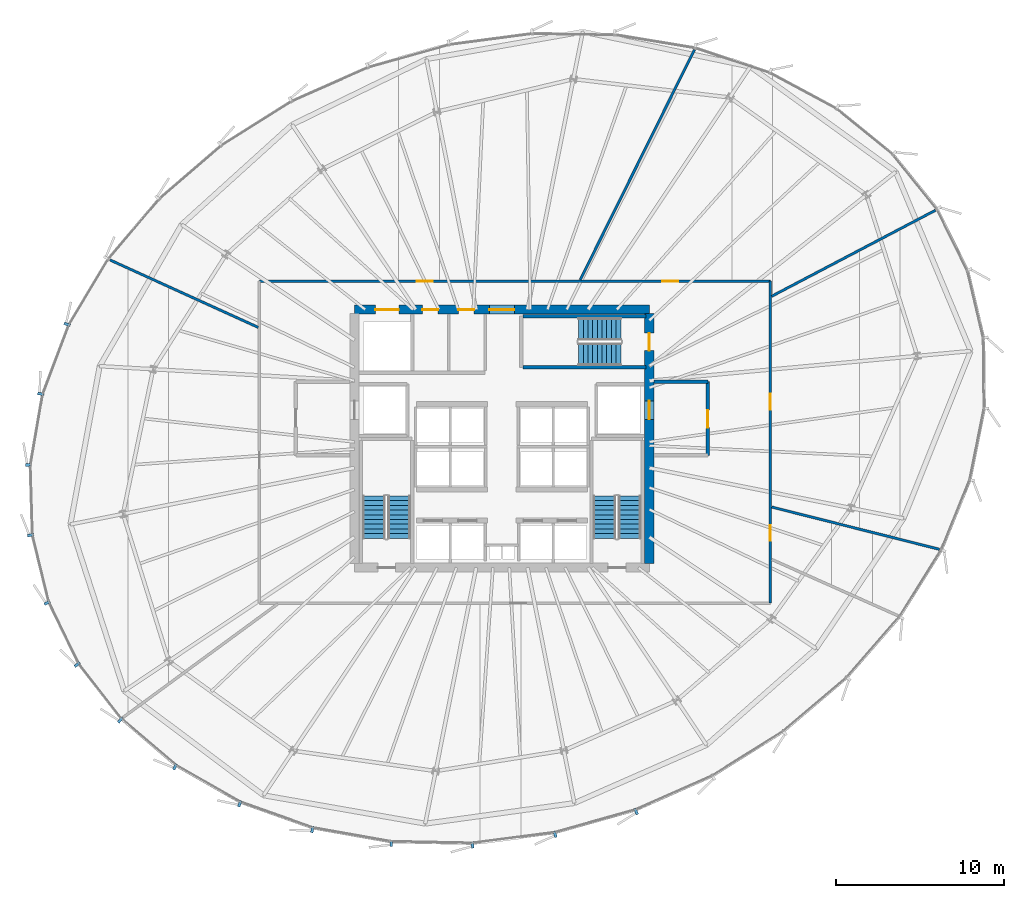
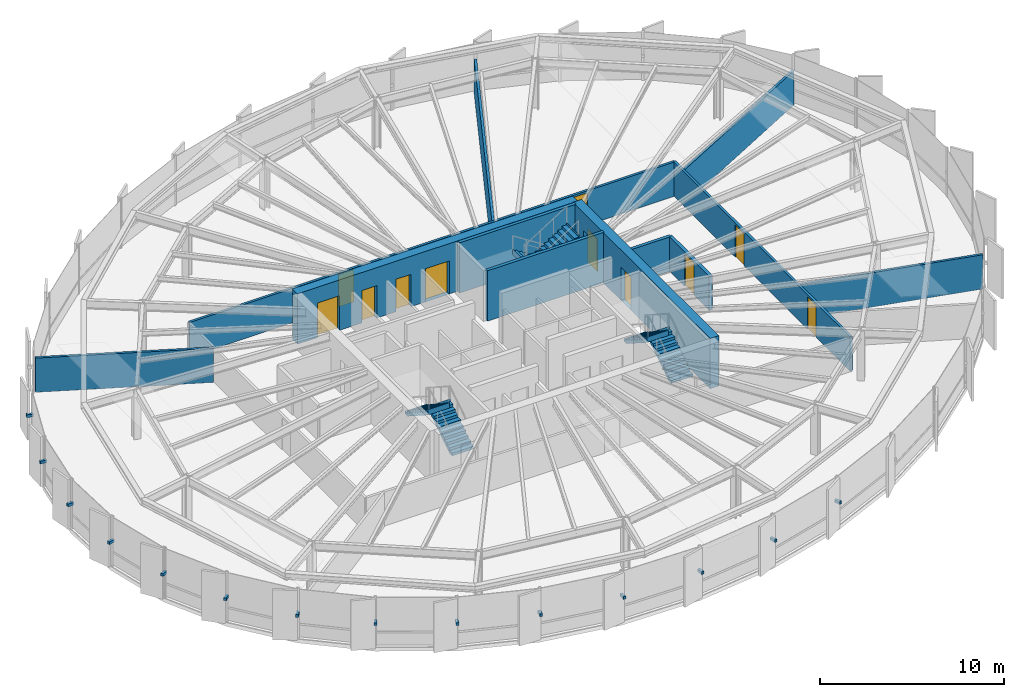
# One storey, part 28 of 33: 14 discrete accessories, 12 walls, 11 doors, 6 stair flights, 11 openings, 3 elements without a shape of their own.
"""IFC4 building model written with IfcOpenShell, lengths in metres."""

import ifcopenshell
import ifcopenshell.guid

model = None  # the IFC model being written
_history = None  # IfcOwnerHistory: only IFC2X3 demands one
_inside = {}  # id of a spatial element -> (the spatial element, [elements in it])
_under = {}  # id of a project, library or spatial element -> (it, [spatial elements below it])
_declared = {}  # id of a project -> (the project, [libraries it declares])
_typed = {}  # id of a type object -> (the type object, [elements of that type])
_made_of = {}  # id of a material, layer set ... -> (it, [elements and type objects made of it])


def new_model(schema):
    """Start an empty IFC model of exactly this schema.

    Asked for "IFC4X3", IfcOpenShell would pick the latest addendum, in which some entities
    have other attributes; the version numbers below select the first issue.
    IFC2X3 requires an IfcOwnerHistory on every rooted entity: one is made here for all.
    """
    global model, _history
    if schema == "IFC4X3":
        model = ifcopenshell.file(schema_version=(4, 3, 0, 0))
    else:
        model = ifcopenshell.file(schema=schema)
    _inside.clear()
    _under.clear()
    _declared.clear()
    _typed.clear()
    _made_of.clear()
    _history = None
    if model.schema == "IFC2X3":
        org = make("IfcOrganization", Name="unknown")
        user = make(
            "IfcPersonAndOrganization",
            ThePerson=make("IfcPerson", FamilyName="unknown"),
            TheOrganization=org,
        )
        app = make(
            "IfcApplication",
            ApplicationDeveloper=org,
            Version="unknown",
            ApplicationFullName="unknown",
            ApplicationIdentifier="unknown",
        )
        _history = make(
            "IfcOwnerHistory",
            OwningUser=user,
            OwningApplication=app,
            ChangeAction="ADDED",
            CreationDate=0,
        )
    return model


def make(cls, **values):
    """One entity of the class cls with the attributes given. An attribute that is None is left unset."""
    return model.create_entity(
        cls, **{name: value for name, value in values.items() if value is not None}
    )


def rooted(cls, **values):
    """An entity with a GlobalId (a new one), such as an element, a storey or a relation."""
    return make(cls, GlobalId=ifcopenshell.guid.new(), OwnerHistory=_history, **values)


def si_unit(unit_type, name, prefix=None):
    """IfcSIUnit, for example si_unit("LENGTHUNIT", "METRE", prefix="MILLI")."""
    return make("IfcSIUnit", UnitType=unit_type, Prefix=prefix, Name=name)


def assignment(units):
    """IfcUnitAssignment: the units of a project."""
    return None if units is None else make("IfcUnitAssignment", Units=units)


def point(xyz):
    """IfcCartesianPoint."""
    return None if xyz is None else make("IfcCartesianPoint", Coordinates=xyz)


def direction(xyz):
    """IfcDirection."""
    return None if xyz is None else make("IfcDirection", DirectionRatios=xyz)


def frame(location, z_axis=None, x_axis=None):
    """IfcAxis2Placement3D, a coordinate frame: its origin and axes. An axis left out is left unset."""
    return make(
        "IfcAxis2Placement3D",
        Location=point(location),
        Axis=direction(z_axis),
        RefDirection=direction(x_axis),
    )


def frame_2d(location, x_axis=None):
    """IfcAxis2Placement2D, a coordinate frame in the plane: its origin and x axis."""
    return make(
        "IfcAxis2Placement2D", Location=point(location), RefDirection=direction(x_axis)
    )


def origin():
    """The frame at (0, 0, 0) with its axes left unset."""
    return frame((0.0, 0.0, 0.0))


def origin_2d():
    """The frame at (0, 0) in the plane with its x axis left unset."""
    return frame_2d((0.0, 0.0))


def place(relative_to, where):
    """IfcLocalPlacement: puts the frame where relative to a parent placement (None: the world)."""
    return make(
        "IfcLocalPlacement", PlacementRelTo=relative_to, RelativePlacement=where
    )


def context(
    kind, dimensions, precision=None, world=None, true_north=None, identifier=None
):
    """IfcGeometricRepresentationContext, for example the 3D "Model" context."""
    return make(
        "IfcGeometricRepresentationContext",
        ContextIdentifier=identifier,
        ContextType=kind,
        CoordinateSpaceDimension=dimensions,
        Precision=precision,
        WorldCoordinateSystem=world,
        TrueNorth=true_north,
    )


def subcontext(parent, identifier, kind, view, scale=None):
    """IfcGeometricRepresentationSubContext, for example "Body" below "Model"."""
    return make(
        "IfcGeometricRepresentationSubContext",
        ContextIdentifier=identifier,
        ContextType=kind,
        ParentContext=parent,
        TargetScale=scale,
        TargetView=view,
    )


def project(units=None, contexts=None):
    """IfcProject with its units and contexts."""
    return rooted(
        "IfcProject",
        Name="project",
        RepresentationContexts=contexts,
        UnitsInContext=assignment(units),
    )


def spatial(cls, under=None, at=None, **own):
    """A site, building, storey or space (cls), placed at a placement, below another one or the project."""
    s = rooted(cls, ObjectPlacement=at, **own)
    if under is not None:
        _under.setdefault(under.id(), (under, []))[1].append(s)
    return s


def polyline(points):
    """IfcPolyline through the points."""
    return make("IfcPolyline", Points=[point(p) for p in points])


def profile(cls, at=None, kind="AREA", **sizes):
    """A parametric profile (cls). Its sizes go by their IFC names, for example OverallWidth=200.0."""
    return make(cls, ProfileType=kind, Position=at, **sizes)


def rectangle(**sizes):
    """IfcRectangleProfileDef."""
    return profile("IfcRectangleProfileDef", **sizes)


def outline(outer, holes=None, kind="AREA"):
    """IfcArbitraryClosedProfileDef: a profile drawn as a closed curve; with holes, ...WithVoids."""
    if holes is None:
        return make("IfcArbitraryClosedProfileDef", ProfileType=kind, OuterCurve=outer)
    return make(
        "IfcArbitraryProfileDefWithVoids",
        ProfileType=kind,
        OuterCurve=outer,
        InnerCurves=holes,
    )


def extrude(swept, where, along, depth):
    """IfcExtrudedAreaSolid: the profile swept, set in the frame where, extruded along a direction by depth."""
    return make(
        "IfcExtrudedAreaSolid",
        SweptArea=swept,
        Position=where,
        ExtrudedDirection=direction(along),
        Depth=depth,
    )


def shape(context_of_items, identifier, shape_type, items):
    """IfcShapeRepresentation: the items that make up one representation, for example the "Body"."""
    return make(
        "IfcShapeRepresentation",
        ContextOfItems=context_of_items,
        RepresentationIdentifier=identifier,
        RepresentationType=shape_type,
        Items=items,
    )


def source(mapping_origin, context_of_items, identifier, shape_type, items):
    """IfcRepresentationMap: a shape defined once, which mapped items show again and again."""
    return make(
        "IfcRepresentationMap",
        MappingOrigin=mapping_origin,
        MappedRepresentation=shape(context_of_items, identifier, shape_type, items),
    )


def transform(
    local_origin,
    x_axis=None,
    y_axis=None,
    z_axis=None,
    scale=None,
    scale2=None,
    scale3=None,
    uniform=True,
):
    """IfcCartesianTransformationOperator3D, or its non-uniform kind. x_axis, y_axis, z_axis: its Axis1, 2, 3."""
    if uniform:
        return make(
            "IfcCartesianTransformationOperator3D",
            Axis1=direction(x_axis),
            Axis2=direction(y_axis),
            LocalOrigin=point(local_origin),
            Scale=scale,
            Axis3=direction(z_axis),
        )
    return make(
        "IfcCartesianTransformationOperator3DnonUniform",
        Axis1=direction(x_axis),
        Axis2=direction(y_axis),
        LocalOrigin=point(local_origin),
        Scale=scale,
        Axis3=direction(z_axis),
        Scale2=scale2,
        Scale3=scale3,
    )


def mapped(mapping_source, mapping_target):
    """IfcMappedItem: shows the shape of a source again, moved by a transform."""
    return make(
        "IfcMappedItem", MappingSource=mapping_source, MappingTarget=mapping_target
    )


def material(Name=None, Category=None):
    """IfcMaterial."""
    return make("IfcMaterial", Name=Name, Category=Category)


def layer(
    of_material, thickness, ventilated=None, Name=None, Category=None, Priority=None
):
    """IfcMaterialLayer: one layer of a wall or slab, of a material (None: an air gap)."""
    return make(
        "IfcMaterialLayer",
        Material=of_material,
        LayerThickness=thickness,
        IsVentilated=ventilated,
        Name=Name,
        Category=Category,
        Priority=Priority,
    )


def layer_set(layers, Name=None):
    """IfcMaterialLayerSet."""
    return make("IfcMaterialLayerSet", MaterialLayers=layers, LayerSetName=Name)


def made_of(thing, what):
    """Note that an element or type object is made of a material, layer set ...; save() writes the relation."""
    if what is not None:
        _made_of.setdefault(what.id(), (what, []))[1].append(thing)
    return thing


def type_object(cls, material=None, **own):
    """A type object (cls), such as IfcWallType, which elements share."""
    return made_of(rooted(cls, **own), material)


def element(
    cls,
    number,
    at=None,
    inside=None,
    cuts=None,
    type_object=None,
    material=None,
    context=None,
    identifier="Body",
    shape_type=None,
    held_by="IfcProductDefinitionShape",
    body=None,
    shapes=None,
    **own,
):
    """One element of the class cls, such as IfcWall. Its Tag is "e" and its number.

    at: its placement. inside: the storey or other place that contains it. cuts: it is an
    opening in that element (IfcRelVoidsElement). A single representation is given by context,
    identifier, shape_type and body (its items); several are given by shapes. held_by: the class
    of the entity that holds the representations. save() writes the other relations.
    """
    e = rooted(cls, Tag="e%d" % number, ObjectPlacement=at, **own)
    if body is not None:
        shapes = [shape(context, identifier, shape_type, body)]
    if shapes is not None:
        e.Representation = make(held_by, Representations=shapes)
    if inside is not None:
        _inside.setdefault(inside.id(), (inside, []))[1].append(e)
    if cuts is not None:
        rooted(
            "IfcRelVoidsElement", RelatingBuildingElement=cuts, RelatedOpeningElement=e
        )
    if type_object is not None:
        _typed.setdefault(type_object.id(), (type_object, []))[1].append(e)
    return made_of(e, material)


def fill(opening, filler):
    """IfcRelFillsElement: the door or window that sits in an opening."""
    return rooted(
        "IfcRelFillsElement",
        RelatingOpeningElement=opening,
        RelatedBuildingElement=filler,
    )


def aggregate(whole, parts):
    """IfcRelAggregates: a whole, such as a stair, and the parts it consists of."""
    return rooted("IfcRelAggregates", RelatingObject=whole, RelatedObjects=parts)


def save(model, path):
    """Write the relations noted so far, then the file.

    IfcRelAggregates (storeys below a building ...), IfcRelContainedInSpatialStructure (elements
    in a storey), IfcRelDefinesByType, IfcRelAssociatesMaterial and IfcRelDeclares: one each for
    every whole, place, type object, material and project.
    """
    for whole, parts in _under.values():
        aggregate(whole, parts)
    for where, things in _inside.values():
        rooted(
            "IfcRelContainedInSpatialStructure",
            RelatedElements=things,
            RelatingStructure=where,
        )
    for kind, things in _typed.values():
        rooted("IfcRelDefinesByType", RelatedObjects=things, RelatingType=kind)
    for what, things in _made_of.values():
        rooted("IfcRelAssociatesMaterial", RelatedObjects=things, RelatingMaterial=what)
    for by, libraries in _declared.values():
        rooted("IfcRelDeclares", RelatingContext=by, RelatedDefinitions=libraries)
    model.write(path)


model = new_model("IFC4")

# Units and contexts
model_context = context("Model", 3, precision=1e-05, world=origin(), true_north=direction((0.0, 1.0)))
body_context = subcontext(model_context, "Body", "Model", "MODEL_VIEW")
ifc_project = project(units=[si_unit("LENGTHUNIT", "METRE"), si_unit("AREAUNIT", "SQUARE_METRE"), si_unit("VOLUMEUNIT", "CUBIC_METRE"), si_unit("PLANEANGLEUNIT", "RADIAN"), si_unit("MASSUNIT", "GRAM", prefix="KILO"), si_unit("THERMODYNAMICTEMPERATUREUNIT", "KELVIN")], contexts=[model_context])

# Site, building, storey
site_placement = place(None, origin())
site = spatial("IfcSite", under=ifc_project, at=site_placement, CompositionType="ELEMENT")
building_placement = place(site_placement, origin())
building = spatial("IfcBuilding", under=site, at=building_placement, Name="Kethvar Cultural Tower", CompositionType="ELEMENT")
storey_placement = place(building_placement, frame((0.0, 0.0, 114.39990234375)))
storey = spatial("IfcBuildingStorey", under=building, at=storey_placement, Name="L28", CompositionType="ELEMENT", Elevation=114.39990234375)

# Wall, openings, doors
ifc_material_1 = material(Name="Concrete C60/75", Category="concrete")
ifc_layer_1 = layer(ifc_material_1, 0.550048828125, Name="Concrete C60/75", Category="concrete")
ifc_layer_set_1 = layer_set([ifc_layer_1], Name="Concrete C60/75 (550 mm)")
wall_type_1 = type_object("IfcWallType", Name="WL-CORE-550", PredefinedType="SHEAR", material=ifc_layer_set_1)
wall_1_placement = place(storey_placement, frame((55.60009765625, 35.5, 0.0), z_axis=(0.0, 0.0, 1.0), x_axis=(-1.0, 0.0, 0.0)))
wall_1 = element("IfcWall", 1, at=wall_1_placement, inside=storey, type_object=wall_type_1, Name="L28 Core Shear Wall N", PredefinedType="SHEAR", context=body_context, shape_type="SweptSolid", body=[
    extrude(rectangle(XDim=17.60009765625, YDim=0.550048828125, at=frame_2d((8.800048828125, 0.0))), origin(), (0.0, 0.0, 1.0), 3.35009765625),
])
opening_1_placement = place(wall_1_placement, frame((8.050048828125, 0.0, 0.0)))
opening_1 = element("IfcOpeningElement", 2, at=opening_1_placement, cuts=wall_1, Name="Opening D-L28-LN", PredefinedType="OPENING", context=body_context, shape_type="SweptSolid", body=[
    extrude(rectangle(XDim=1.5, YDim=2.199951171875, at=frame_2d((0.75, 1.10009765625))), frame((0.0, 0.284912109375, 0.0), z_axis=(0.0, -1.0, 0.0), x_axis=(1.0, 0.0, 0.0)), (0.0, 0.0, 1.0), 0.570068359375),
])
opening_2_placement = place(wall_1_placement, frame((14.949951171875, 0.0, 0.0)))
opening_2 = element("IfcOpeningElement", 3, at=opening_2_placement, cuts=wall_1, Name="Opening LD-G1", PredefinedType="OPENING", context=body_context, shape_type="SweptSolid", body=[
    extrude(rectangle(XDim=1.39990234375, YDim=2.300048828125, at=frame_2d((0.699951171875, 1.14990234375))), frame((0.0, 0.284912109375, 0.0), z_axis=(0.0, -1.0, 0.0), x_axis=(1.0, 0.0, 0.0)), (0.0, 0.0, 1.0), 0.570068359375),
])
opening_3_placement = place(wall_1_placement, frame((12.60009765625, 0.0, 0.0)))
opening_3 = element("IfcOpeningElement", 4, at=opening_3_placement, cuts=wall_1, Name="Opening D-L28-W1", PredefinedType="OPENING", context=body_context, shape_type="SweptSolid", body=[
    extrude(rectangle(XDim=0.949951171875, YDim=2.14990234375, at=frame_2d((0.47509765625, 1.074951171875))), frame((0.0, 0.284912109375, 0.0), z_axis=(0.0, -1.0, 0.0), x_axis=(1.0, 0.0, 0.0)), (0.0, 0.0, 1.0), 0.570068359375),
])
opening_4_placement = place(wall_1_placement, frame((10.449951171875, 0.0, 0.0)))
opening_4 = element("IfcOpeningElement", 5, at=opening_4_placement, cuts=wall_1, Name="Opening D-L28-W2", PredefinedType="OPENING", context=body_context, shape_type="SweptSolid", body=[
    extrude(rectangle(XDim=0.949951171875, YDim=2.14990234375, at=frame_2d((0.47509765625, 1.074951171875))), frame((0.0, 0.284912109375, 0.0), z_axis=(0.0, -1.0, 0.0), x_axis=(1.0, 0.0, 0.0)), (0.0, 0.0, 1.0), 0.570068359375),
])
ifc_material_2 = material(Name="Architectural Oak Timber", Category="wood")
door_type_1 = type_object("IfcDoorType", Name="DR-DBL-FD60-1500", OperationType="DOUBLE_DOOR_SINGLE_SWING", PredefinedType="DOOR", material=ifc_material_2)
shared_shape_1 = source(origin(), body_context, "Body", "SweptSolid", [
    extrude(rectangle(XDim=1.5, YDim=2.199951171875, at=frame_2d((0.75, 1.10009765625))), frame((0.0, 0.02490234375, 0.0), z_axis=(0.0, -1.0, 0.0), x_axis=(1.0, 0.0, 0.0)), (0.0, 0.0, 1.0), 0.050048828125),
])
door_1_placement = place(opening_1_placement, origin())
door_1 = element("IfcDoor", 6, at=door_1_placement, inside=storey, type_object=door_type_1, Name="L28 Lift Lobby Concourse Door", OperationType="DOUBLE_DOOR_SINGLE_SWING", OverallHeight=2.199951171875, OverallWidth=1.5, PredefinedType="DOOR", context=body_context, shape_type="MappedRepresentation", body=[
    mapped(shared_shape_1, transform((0.0, 0.0, 0.0), scale=1.0)),
])
fill(opening_1, door_1)
ifc_material_3 = material(Name="Steel S355J2", Category="steel")
door_type_2 = type_object("IfcDoorType", Name="DR-LIFT-SLIDE-1400", OperationType="NOTDEFINED", PredefinedType="DOOR", material=ifc_material_3)
shared_shape_2 = source(origin(), body_context, "Body", "SweptSolid", [
    extrude(rectangle(XDim=1.39990234375, YDim=2.300048828125, at=frame_2d((0.699951171875, 1.14990234375))), frame((0.0, 0.02490234375, 0.0), z_axis=(0.0, -1.0, 0.0), x_axis=(1.0, 0.0, 0.0)), (0.0, 0.0, 1.0), 0.050048828125),
])
door_2_placement = place(opening_2_placement, origin())
door_2 = element("IfcDoor", 7, at=door_2_placement, inside=storey, type_object=door_type_2, Name="L28 Goods Lift Landing Door", OperationType="SLIDING_TO_RIGHT", OverallHeight=2.300048828125, OverallWidth=1.39990234375, PredefinedType="DOOR", context=body_context, shape_type="MappedRepresentation", body=[
    mapped(shared_shape_2, transform((0.0, 0.0, 0.0), scale=1.0)),
])
fill(opening_2, door_2)
door_type_3 = type_object("IfcDoorType", Name="DR-FD30-950", OperationType="NOTDEFINED", PredefinedType="DOOR", material=ifc_material_2)
shared_shape_3 = source(origin(), body_context, "Body", "SweptSolid", [
    extrude(rectangle(XDim=0.949951171875, YDim=2.14990234375, at=frame_2d((0.47509765625, 1.074951171875))), frame((0.0, 0.02490234375, 0.0), z_axis=(0.0, -1.0, 0.0), x_axis=(1.0, 0.0, 0.0)), (0.0, 0.0, 1.0), 0.050048828125),
])
door_3_placement = place(opening_3_placement, origin())
door_3 = element("IfcDoor", 8, at=door_3_placement, inside=storey, type_object=door_type_3, Name="L28 Accessible Washroom Door", OperationType="SINGLE_SWING_LEFT", OverallHeight=2.14990234375, OverallWidth=0.949951171875, PredefinedType="DOOR", context=body_context, shape_type="MappedRepresentation", body=[
    mapped(shared_shape_3, transform((0.0, 0.0, 0.0), scale=1.0)),
])
fill(opening_3, door_3)
door_4_placement = place(opening_4_placement, origin())
door_4 = element("IfcDoor", 9, at=door_4_placement, inside=storey, type_object=door_type_3, Name="L28 Public Washroom Door", OperationType="SINGLE_SWING_RIGHT", OverallHeight=2.14990234375, OverallWidth=0.949951171875, PredefinedType="DOOR", context=body_context, shape_type="MappedRepresentation", body=[
    mapped(shared_shape_3, transform((0.0, 0.0, 0.0), scale=1.0)),
])
fill(opening_4, door_4)

wall_2_placement = place(storey_placement, frame((55.60009765625, 20.340087890625, 0.0), z_axis=(0.0, 0.0, 1.0), x_axis=(0.0, 1.0, 0.0)))
wall_2 = element("IfcWall", 10, at=wall_2_placement, inside=storey, type_object=wall_type_1, Name="L28 Core Shear Wall E", PredefinedType="SHEAR", context=body_context, shape_type="SweptSolid", body=[
    extrude(rectangle(XDim=14.919921875, YDim=0.550048828125, at=frame_2d((7.4599609375, 0.0))), origin(), (0.0, 0.0, 1.0), 3.35009765625),
])
opening_5_placement = place(wall_2_placement, frame((12.7099609375, 0.0, 0.0)))
opening_5 = element("IfcOpeningElement", 11, at=opening_5_placement, cuts=wall_2, Name="Opening D-L28-S3", PredefinedType="OPENING", context=body_context, shape_type="SweptSolid", body=[
    extrude(rectangle(XDim=1.050048828125, YDim=2.14990234375, at=frame_2d((0.52490234375, 1.074951171875))), frame((0.0, 0.284912109375, 0.0), z_axis=(0.0, -1.0, 0.0), x_axis=(1.0, 0.0, 0.0)), (0.0, 0.0, 1.0), 0.570068359375),
])
opening_6_placement = place(wall_2_placement, frame((8.610107421875, 0.0, 0.0)))
opening_6 = element("IfcOpeningElement", 12, at=opening_6_placement, cuts=wall_2, Name="Opening LD-2", PredefinedType="OPENING", context=body_context, shape_type="SweptSolid", body=[
    extrude(rectangle(XDim=1.10009765625, YDim=2.199951171875, at=frame_2d((0.550048828125, 1.10009765625))), frame((0.0, 0.284912109375, 0.0), z_axis=(0.0, -1.0, 0.0), x_axis=(1.0, 0.0, 0.0)), (0.0, 0.0, 1.0), 0.570068359375),
])
door_type_4 = type_object("IfcDoorType", Name="DR-FD60-1050", OperationType="NOTDEFINED", PredefinedType="DOOR", material=ifc_material_3)
shared_shape_4 = source(origin(), body_context, "Body", "SweptSolid", [
    extrude(rectangle(XDim=1.050048828125, YDim=2.14990234375, at=frame_2d((0.52490234375, 1.074951171875))), frame((0.0, 0.02490234375, 0.0), z_axis=(0.0, -1.0, 0.0), x_axis=(1.0, 0.0, 0.0)), (0.0, 0.0, 1.0), 0.050048828125),
])
door_5_placement = place(opening_5_placement, origin())
door_5 = element("IfcDoor", 13, at=door_5_placement, inside=storey, type_object=door_type_4, Name="L28 Exit Stair 3 Door", OperationType="SINGLE_SWING_LEFT", OverallHeight=2.14990234375, OverallWidth=1.050048828125, PredefinedType="DOOR", context=body_context, shape_type="MappedRepresentation", body=[
    mapped(shared_shape_4, transform((0.0, 0.0, 0.0), scale=1.0)),
])
fill(opening_5, door_5)
door_type_5 = type_object("IfcDoorType", Name="DR-LIFT-SLIDE-1100", OperationType="NOTDEFINED", PredefinedType="DOOR", material=ifc_material_3)
shared_shape_5 = source(origin(), body_context, "Body", "SweptSolid", [
    extrude(rectangle(XDim=1.10009765625, YDim=2.199951171875, at=frame_2d((0.550048828125, 1.10009765625))), frame((0.0, 0.02490234375, 0.0), z_axis=(0.0, -1.0, 0.0), x_axis=(1.0, 0.0, 0.0)), (0.0, 0.0, 1.0), 0.050048828125),
])
door_6_placement = place(opening_6_placement, origin())
door_6 = element("IfcDoor", 14, at=door_6_placement, inside=storey, type_object=door_type_5, Name="L28 Firefighting Lift Landing Door FFL-02", OperationType="SLIDING_TO_RIGHT", OverallHeight=2.199951171875, OverallWidth=1.10009765625, PredefinedType="DOOR", context=body_context, shape_type="MappedRepresentation", body=[
    mapped(shared_shape_5, transform((0.0, 0.0, 0.0), scale=1.0)),
])
fill(opening_6, door_6)

ifc_material_4 = material(Name="Gypsum Fireboard Partition")
ifc_layer_2 = layer(ifc_material_4, 0.14990234375, Name="Gypsum Fireboard Partition")
ifc_layer_set_2 = layer_set([ifc_layer_2], Name="Gypsum Fireboard Partition (150 mm)")
wall_type_2 = type_object("IfcWallType", Name="WL-FIRE-150", PredefinedType="PARTITIONING", material=ifc_layer_set_2)
wall_3_placement = place(storey_placement, frame((62.830078125, 17.97998046875, 0.0), z_axis=(0.0, 0.0, 1.0), x_axis=(0.0, 1.0, 0.0)))
wall_3 = element("IfcWall", 15, at=wall_3_placement, inside=storey, type_object=wall_type_2, Name="L28 Corridor Rated Wall E", PredefinedType="PARTITIONING", context=body_context, shape_type="SweptSolid", body=[
    extrude(rectangle(XDim=19.219970703125, YDim=0.14990234375, at=frame_2d((9.60986328125, 0.0))), origin(), (0.0, 0.0, 1.0), 2.280029296875),
])
opening_7_placement = place(wall_3_placement, frame((3.708984375, 0.0, 0.0)))
opening_7 = element("IfcOpeningElement", 16, at=opening_7_placement, cuts=wall_3, Name="Opening D-L28-02", PredefinedType="OPENING", context=body_context, shape_type="SweptSolid", body=[
    extrude(rectangle(XDim=0.949951171875, YDim=2.14990234375, at=frame_2d((0.47509765625, 1.074951171875))), frame((0.0, 0.0849609375, 0.0), z_axis=(0.0, -1.0, 0.0), x_axis=(1.0, 0.0, 0.0)), (0.0, 0.0, 1.0), 0.169921875),
])
opening_8_placement = place(wall_3_placement, frame((11.5537109375, 0.0, 0.0)))
opening_8 = element("IfcOpeningElement", 17, at=opening_8_placement, cuts=wall_3, Name="Opening D-L28-03", PredefinedType="OPENING", context=body_context, shape_type="SweptSolid", body=[
    extrude(rectangle(XDim=0.949951171875, YDim=2.14990234375, at=frame_2d((0.47509765625, 1.074951171875))), frame((0.0, 0.0849609375, 0.0), z_axis=(0.0, -1.0, 0.0), x_axis=(1.0, 0.0, 0.0)), (0.0, 0.0, 1.0), 0.169921875),
])
door_7_placement = place(opening_7_placement, origin())
door_7 = element("IfcDoor", 18, at=door_7_placement, inside=storey, type_object=door_type_3, Name="L28 Curatorial Concierge Foyer 02 Door", OperationType="SINGLE_SWING_RIGHT", OverallHeight=2.14990234375, OverallWidth=0.949951171875, PredefinedType="DOOR", context=body_context, shape_type="MappedRepresentation", body=[
    mapped(shared_shape_3, transform((0.0, 0.0, 0.0), scale=1.0)),
])
fill(opening_7, door_7)
door_8_placement = place(opening_8_placement, origin())
door_8 = element("IfcDoor", 19, at=door_8_placement, inside=storey, type_object=door_type_3, Name="L28 Cartography Reading Library 03 Door", OperationType="SINGLE_SWING_LEFT", OverallHeight=2.14990234375, OverallWidth=0.949951171875, PredefinedType="DOOR", context=body_context, shape_type="MappedRepresentation", body=[
    mapped(shared_shape_3, transform((0.0, 0.0, 0.0), scale=1.0)),
])
fill(opening_8, door_8)

wall_4_placement = place(storey_placement, frame((62.830078125, 37.199951171875, 0.0), z_axis=(0.0, 0.0, 1.0), x_axis=(-1.0, 0.0, 0.0)))
wall_4 = element("IfcWall", 20, at=wall_4_placement, inside=storey, type_object=wall_type_2, Name="L28 Corridor Rated Wall N", PredefinedType="PARTITIONING", context=body_context, shape_type="SweptSolid", body=[
    extrude(rectangle(XDim=30.5, YDim=0.14990234375, at=frame_2d((15.25, 0.0))), origin(), (0.0, 0.0, 1.0), 2.280029296875),
])
opening_9_placement = place(wall_4_placement, frame((5.509765625, 0.0, 0.0)))
opening_9 = element("IfcOpeningElement", 21, at=opening_9_placement, cuts=wall_4, Name="Opening D-L28-04", PredefinedType="OPENING", context=body_context, shape_type="SweptSolid", body=[
    extrude(rectangle(XDim=0.949951171875, YDim=2.14990234375, at=frame_2d((0.47509765625, 1.074951171875))), frame((0.0, 0.0849609375, 0.0), z_axis=(0.0, -1.0, 0.0), x_axis=(1.0, 0.0, 0.0)), (0.0, 0.0, 1.0), 0.169921875),
])
opening_10_placement = place(wall_4_placement, frame((20.163818359375, 0.0, 0.0)))
opening_10 = element("IfcOpeningElement", 22, at=opening_10_placement, cuts=wall_4, Name="Opening D-L28-05", PredefinedType="OPENING", context=body_context, shape_type="SweptSolid", body=[
    extrude(rectangle(XDim=0.949951171875, YDim=2.14990234375, at=frame_2d((0.47509765625, 1.074951171875))), frame((0.0, 0.0849609375, 0.0), z_axis=(0.0, -1.0, 0.0), x_axis=(1.0, 0.0, 0.0)), (0.0, 0.0, 1.0), 0.169921875),
])
door_9_placement = place(opening_9_placement, origin())
door_9 = element("IfcDoor", 23, at=door_9_placement, inside=storey, type_object=door_type_3, Name="L28 Hospitality Sitting Lounge 04 Door", OperationType="SINGLE_SWING_RIGHT", OverallHeight=2.14990234375, OverallWidth=0.949951171875, PredefinedType="DOOR", context=body_context, shape_type="MappedRepresentation", body=[
    mapped(shared_shape_3, transform((0.0, 0.0, 0.0), scale=1.0)),
])
fill(opening_9, door_9)
door_10_placement = place(opening_10_placement, origin())
door_10 = element("IfcDoor", 24, at=door_10_placement, inside=storey, type_object=door_type_3, Name="L28 Colloquium Seminar Room 05 Door", OperationType="SINGLE_SWING_LEFT", OverallHeight=2.14990234375, OverallWidth=0.949951171875, PredefinedType="DOOR", context=body_context, shape_type="MappedRepresentation", body=[
    mapped(shared_shape_3, transform((0.0, 0.0, 0.0), scale=1.0)),
])
fill(opening_10, door_10)

# Wall, opening, door
ifc_material_5 = material(Name="Concrete C40/50", Category="concrete")
ifc_layer_3 = layer(ifc_material_5, 0.199951171875, Name="Concrete C40/50", Category="concrete")
ifc_layer_set_3 = layer_set([ifc_layer_3], Name="Concrete C40/50 (200 mm)")
wall_type_3 = type_object("IfcWallType", Name="WL-FIRE-200", PredefinedType="PARTITIONING", material=ifc_layer_set_3)
wall_5_placement = place(storey_placement, frame((59.10009765625, 26.800048828125, 0.0), z_axis=(0.0, 0.0, 1.0), x_axis=(0.0, 1.0, 0.0)))
wall_5 = element("IfcWall", 25, at=wall_5_placement, inside=storey, type_object=wall_type_3, Name="L28 Firefighting Lobby 2 Wall", PredefinedType="PARTITIONING", context=body_context, shape_type="SweptSolid", body=[
    extrude(rectangle(XDim=4.39990234375, YDim=0.199951171875, at=frame_2d((2.199951171875, 0.0))), origin(), (0.0, 0.0, 1.0), 2.280029296875),
])
opening_11_placement = place(wall_5_placement, frame((1.64990234375, 0.0, 0.0)))
opening_11 = element("IfcOpeningElement", 26, at=opening_11_placement, cuts=wall_5, Name="Opening D-L28-F2", PredefinedType="OPENING", context=body_context, shape_type="SweptSolid", body=[
    extrude(rectangle(XDim=1.050048828125, YDim=2.14990234375, at=frame_2d((0.52490234375, 1.074951171875))), frame((0.0, 0.10986328125, 0.0), z_axis=(0.0, -1.0, 0.0), x_axis=(1.0, 0.0, 0.0)), (0.0, 0.0, 1.0), 0.219970703125),
])
door_11_placement = place(opening_11_placement, origin())
door_11 = element("IfcDoor", 27, at=door_11_placement, inside=storey, type_object=door_type_4, Name="L28 Firefighting Lobby 2 Fire Door", OperationType="SINGLE_SWING_LEFT", OverallHeight=2.14990234375, OverallWidth=1.050048828125, PredefinedType="DOOR", context=body_context, shape_type="MappedRepresentation", body=[
    mapped(shared_shape_4, transform((0.0, 0.0, 0.0), scale=1.0)),
])
fill(opening_11, door_11)

# Walls
wall_6_placement = place(storey_placement, frame((55.885009765625, 31.199951171875, 0.0), z_axis=(0.0, 0.0, 1.0), x_axis=(1.0, 0.0, 0.0)))
element("IfcWall", 28, at=wall_6_placement, inside=storey, type_object=wall_type_3, Name="L28 FF Lobby 2 North Wall", PredefinedType="PARTITIONING", context=body_context, shape_type="SweptSolid", body=[
    extrude(rectangle(XDim=3.215087890625, YDim=0.199951171875, at=frame_2d((1.607421875, 0.0))), origin(), (0.0, 0.0, 1.0), 2.280029296875),
])
ifc_material_6 = material(Name="Gypsum Acoustic Partition")
ifc_layer_4 = layer(ifc_material_6, 0.14990234375, Name="Gypsum Acoustic Partition")
ifc_layer_set_4 = layer_set([ifc_layer_4], Name="Gypsum Acoustic Partition (150 mm)")
wall_type_4 = type_object("IfcWallType", Name="WL-PART-150", PredefinedType="PARTITIONING", material=ifc_layer_set_4)
wall_7_placement = place(storey_placement, frame((62.90771484375, 23.714599609375, 0.0), z_axis=(0.0, 0.0, 1.0), x_axis=(0.969678992697, -0.244382182496, 0.0)))
element("IfcWall", 29, at=wall_7_placement, inside=storey, type_object=wall_type_4, Name="L28 Radial Partition Wall 03", PredefinedType="PARTITIONING", context=body_context, shape_type="SweptSolid", body=[
    extrude(rectangle(XDim=10.32568359375, YDim=0.14990234375, at=frame_2d((5.162841796875, 0.0))), origin(), (0.0, 0.0, 1.0), 2.280029296875),
])
wall_8_placement = place(storey_placement, frame((62.90087890625, 36.292724609375, 0.0), z_axis=(0.0, 0.0, 1.0), x_axis=(0.885416775878, 0.464797948568, 0.0)))
element("IfcWall", 30, at=wall_8_placement, inside=storey, type_object=wall_type_4, Name="L28 Radial Partition Wall 04", PredefinedType="PARTITIONING", context=body_context, shape_type="SweptSolid", body=[
    extrude(rectangle(XDim=11.046875, YDim=0.14990234375, at=frame_2d((5.5234375, 0.0))), origin(), (0.0, 0.0, 1.0), 2.280029296875),
])
wall_9_placement = place(storey_placement, frame((51.47607421875, 37.271728515625, 0.0), z_axis=(0.0, 0.0, 1.0), x_axis=(0.444600978951, 0.895728736569, 0.0)))
element("IfcWall", 31, at=wall_9_placement, inside=storey, type_object=wall_type_4, Name="L28 Radial Partition Wall 05", PredefinedType="PARTITIONING", context=body_context, shape_type="SweptSolid", body=[
    extrude(rectangle(XDim=15.33642578125, YDim=0.14990234375, at=frame_2d((7.668212890625, 0.0))), origin(), (0.0, 0.0, 1.0), 2.280029296875),
])
wall_10_placement = place(storey_placement, frame((32.257080078125, 34.4375, 0.0), z_axis=(0.0, 0.0, 1.0), x_axis=(-0.910252025758, 0.414054645672, 0.0)))
element("IfcWall", 32, at=wall_10_placement, inside=storey, type_object=wall_type_4, Name="L28 Radial Partition Wall 06", PredefinedType="PARTITIONING", context=body_context, shape_type="SweptSolid", body=[
    extrude(rectangle(XDim=9.718994140625, YDim=0.14990234375, at=frame_2d((4.859375, 0.0))), origin(), (0.0, 0.0, 1.0), 2.280029296875),
])
ifc_material_7 = material(Name="Concrete C50/60", Category="concrete")
ifc_layer_5 = layer(ifc_material_7, 0.199951171875, Name="Concrete C50/60", Category="concrete")
ifc_layer_set_5 = layer_set([ifc_layer_5], Name="Concrete C50/60 (200 mm)")
wall_type_5 = type_object("IfcWallType", Name="WL-STSHAFT-200", PredefinedType="SHEAR", material=ifc_layer_set_5)
for number, where, z_axis, x_axis, name in (
    (33, (48.050048828125, 35.110107421875, 0.0), (0.0, 0.0, 1.0), (1.0, 0.0, 0.0), "L28 ST-03 Stair Shaft Wall LEFT"),
    (34, (55.39990234375, 32.050048828125, 0.0), (0.0, 0.0, 1.0), (-1.0, 0.0, 0.0), "L28 ST-03 Stair Shaft Wall RIGHT"),
):
    element("IfcWall", number, at=place(storey_placement, frame(where, z_axis=z_axis, x_axis=x_axis)), inside=storey, type_object=wall_type_5, Name=name, PredefinedType="SHEAR", context=body_context, shape_type="SweptSolid", body=[
        extrude(rectangle(XDim=7.349853515625, YDim=0.199951171875, at=frame_2d((3.6748046875, 0.0))), origin(), (0.0, 0.0, 1.0), 3.35009765625),
    ])

# Stair, stair flights
stair_type = type_object("IfcStairType", Name="ST-DOGLEG-135", PredefinedType="HALF_TURN_STAIR", material=ifc_material_5)
stair_1_placement = place(storey_placement, origin())
stair_1 = element("IfcStair", 35, at=stair_1_placement, inside=storey, type_object=stair_type, Name="L28 Core Exit Stair 1", PredefinedType="HALF_TURN_STAIR")
stair_flight_type = type_object("IfcStairFlightType", Name="FL-STRAIGHT-135", PredefinedType="STRAIGHT", material=ifc_material_5)
stair_flight_1_placement = place(storey_placement, frame((40.675048828125, 21.85009765625, 0.0), z_axis=(0.0, 0.0, 1.0), x_axis=(0.0, 1.0, 0.0)))
stair_flight_1 = element("IfcStairFlight", 36, at=stair_flight_1_placement, type_object=stair_flight_type, Name="ST-01 flight 1", NumberOfRisers=10, NumberOfTreads=9, PredefinedType="STRAIGHT", RiserHeight=0.18, TreadLength=0.28, context=body_context, shape_type="SweptSolid", body=[
    extrude(outline(polyline([(-0.0009765625, -0.0009765625), (-0.0009765625, 0.179931640625), (0.280029296875, 0.179931640625), (0.280029296875, 0.360107421875), (0.56005859375, 0.360107421875), (0.56005859375, 0.5400390625), (0.840087890625, 0.5400390625), (0.840087890625, 0.719970703125), (1.1201171875, 0.719970703125), (1.1201171875, 0.89990234375), (1.39990234375, 0.89990234375), (1.39990234375, 1.080078125), (1.679931640625, 1.080078125), (1.679931640625, 1.260009765625), (1.9599609375, 1.260009765625), (1.9599609375, 1.43994140625), (2.239990234375, 1.43994140625), (2.239990234375, 1.6201171875), (2.52001953125, 1.6201171875), (2.52001953125, 1.800048828125), (2.52099609375, 1.800048828125), (2.52099609375, 1.44189453125), (0.277099609375, 0.0), (0.0, -0.0009765625), (-0.0009765625, -0.0009765625)])), frame((0.0, 0.675048828125, 0.0), z_axis=(0.0, -1.0, 0.0), x_axis=(1.0, 0.0, 0.0)), (0.0, 0.0, 1.0), 1.35009765625),
])
stair_flight_2_placement = place(storey_placement, frame((39.1650390625, 24.3701171875, 1.800048828125), z_axis=(0.0, 0.0, 1.0), x_axis=(0.0, -1.0, 0.0)))
stair_flight_2 = element("IfcStairFlight", 37, at=stair_flight_2_placement, type_object=stair_flight_type, Name="ST-01 flight 2", NumberOfRisers=10, NumberOfTreads=9, PredefinedType="STRAIGHT", RiserHeight=0.18, TreadLength=0.28, context=body_context, shape_type="SweptSolid", body=[
    extrude(outline(polyline([(-0.0009765625, -0.0009765625), (-0.0009765625, 0.179931640625), (0.280029296875, 0.179931640625), (0.280029296875, 0.360107421875), (0.56005859375, 0.360107421875), (0.56005859375, 0.5400390625), (0.840087890625, 0.5400390625), (0.840087890625, 0.719970703125), (1.1201171875, 0.719970703125), (1.1201171875, 0.89990234375), (1.39990234375, 0.89990234375), (1.39990234375, 1.080078125), (1.679931640625, 1.080078125), (1.679931640625, 1.260009765625), (1.9599609375, 1.260009765625), (1.9599609375, 1.43994140625), (2.239990234375, 1.43994140625), (2.239990234375, 1.6201171875), (2.52001953125, 1.6201171875), (2.52001953125, 1.800048828125), (2.52099609375, 1.800048828125), (2.52099609375, 1.44189453125), (0.277099609375, 0.0), (0.0, -0.0009765625), (-0.0009765625, -0.0009765625)])), frame((0.0, 0.675048828125, 0.0), z_axis=(0.0, -1.0, 0.0), x_axis=(1.0, 0.0, 0.0)), (0.0, 0.0, 1.0), 1.35009765625),
])
aggregate(stair_1, [stair_flight_1, stair_flight_2])

stair_2_placement = place(storey_placement, origin())
stair_2 = element("IfcStair", 38, at=stair_2_placement, inside=storey, type_object=stair_type, Name="L28 Core Exit Stair 2", PredefinedType="HALF_TURN_STAIR")
stair_flight_3_placement = place(storey_placement, frame((54.43505859375, 21.85009765625, 0.0), z_axis=(0.0, 0.0, 1.0), x_axis=(0.0, 1.0, 0.0)))
stair_flight_3 = element("IfcStairFlight", 39, at=stair_flight_3_placement, type_object=stair_flight_type, Name="ST-02 flight 1", NumberOfRisers=10, NumberOfTreads=9, PredefinedType="STRAIGHT", RiserHeight=0.18, TreadLength=0.28, context=body_context, shape_type="SweptSolid", body=[
    extrude(outline(polyline([(-0.0009765625, -0.0009765625), (-0.0009765625, 0.179931640625), (0.280029296875, 0.179931640625), (0.280029296875, 0.360107421875), (0.56005859375, 0.360107421875), (0.56005859375, 0.5400390625), (0.840087890625, 0.5400390625), (0.840087890625, 0.719970703125), (1.1201171875, 0.719970703125), (1.1201171875, 0.89990234375), (1.39990234375, 0.89990234375), (1.39990234375, 1.080078125), (1.679931640625, 1.080078125), (1.679931640625, 1.260009765625), (1.9599609375, 1.260009765625), (1.9599609375, 1.43994140625), (2.239990234375, 1.43994140625), (2.239990234375, 1.6201171875), (2.52001953125, 1.6201171875), (2.52001953125, 1.800048828125), (2.52099609375, 1.800048828125), (2.52099609375, 1.44189453125), (0.277099609375, 0.0), (0.0, -0.0009765625), (-0.0009765625, -0.0009765625)])), frame((0.0, 0.675048828125, 0.0), z_axis=(0.0, -1.0, 0.0), x_axis=(1.0, 0.0, 0.0)), (0.0, 0.0, 1.0), 1.35009765625),
])
stair_flight_4_placement = place(storey_placement, frame((52.925048828125, 24.3701171875, 1.800048828125), z_axis=(0.0, 0.0, 1.0), x_axis=(0.0, -1.0, 0.0)))
stair_flight_4 = element("IfcStairFlight", 40, at=stair_flight_4_placement, type_object=stair_flight_type, Name="ST-02 flight 2", NumberOfRisers=10, NumberOfTreads=9, PredefinedType="STRAIGHT", RiserHeight=0.18, TreadLength=0.28, context=body_context, shape_type="SweptSolid", body=[
    extrude(outline(polyline([(-0.0009765625, -0.0009765625), (-0.0009765625, 0.179931640625), (0.280029296875, 0.179931640625), (0.280029296875, 0.360107421875), (0.56005859375, 0.360107421875), (0.56005859375, 0.5400390625), (0.840087890625, 0.5400390625), (0.840087890625, 0.719970703125), (1.1201171875, 0.719970703125), (1.1201171875, 0.89990234375), (1.39990234375, 0.89990234375), (1.39990234375, 1.080078125), (1.679931640625, 1.080078125), (1.679931640625, 1.260009765625), (1.9599609375, 1.260009765625), (1.9599609375, 1.43994140625), (2.239990234375, 1.43994140625), (2.239990234375, 1.6201171875), (2.52001953125, 1.6201171875), (2.52001953125, 1.800048828125), (2.52099609375, 1.800048828125), (2.52099609375, 1.44189453125), (0.277099609375, 0.0), (0.0, -0.0009765625), (-0.0009765625, -0.0009765625)])), frame((0.0, 0.675048828125, 0.0), z_axis=(0.0, -1.0, 0.0), x_axis=(1.0, 0.0, 0.0)), (0.0, 0.0, 1.0), 1.35009765625),
])
aggregate(stair_2, [stair_flight_3, stair_flight_4])

stair_3_placement = place(storey_placement, origin())
stair_3 = element("IfcStair", 41, at=stair_3_placement, inside=storey, type_object=stair_type, Name="L28 Core Exit Stair 3", PredefinedType="HALF_TURN_STAIR")
stair_flight_5_placement = place(storey_placement, frame((53.89990234375, 34.3349609375, 0.0), z_axis=(0.0, 0.0, 1.0), x_axis=(-1.0, 0.0, 0.0)))
stair_flight_5 = element("IfcStairFlight", 42, at=stair_flight_5_placement, type_object=stair_flight_type, Name="ST-03 flight 1", NumberOfRisers=10, NumberOfTreads=9, PredefinedType="STRAIGHT", RiserHeight=0.18, TreadLength=0.28, context=body_context, shape_type="SweptSolid", body=[
    extrude(outline(polyline([(-0.0009765625, -0.0009765625), (-0.0009765625, 0.179931640625), (0.280029296875, 0.179931640625), (0.280029296875, 0.360107421875), (0.56005859375, 0.360107421875), (0.56005859375, 0.5400390625), (0.840087890625, 0.5400390625), (0.840087890625, 0.719970703125), (1.1201171875, 0.719970703125), (1.1201171875, 0.89990234375), (1.39990234375, 0.89990234375), (1.39990234375, 1.080078125), (1.679931640625, 1.080078125), (1.679931640625, 1.260009765625), (1.9599609375, 1.260009765625), (1.9599609375, 1.43994140625), (2.239990234375, 1.43994140625), (2.239990234375, 1.6201171875), (2.52001953125, 1.6201171875), (2.52001953125, 1.800048828125), (2.52099609375, 1.800048828125), (2.52099609375, 1.44189453125), (0.277099609375, 0.0), (0.0, -0.0009765625), (-0.0009765625, -0.0009765625)])), frame((0.0, 0.675048828125, 0.0), z_axis=(0.0, -1.0, 0.0), x_axis=(1.0, 0.0, 0.0)), (0.0, 0.0, 1.0), 1.35009765625),
])
stair_flight_6_placement = place(storey_placement, frame((51.3798828125, 32.824951171875, 1.800048828125), z_axis=(0.0, 0.0, 1.0), x_axis=(1.0, 0.0, 0.0)))
stair_flight_6 = element("IfcStairFlight", 43, at=stair_flight_6_placement, type_object=stair_flight_type, Name="ST-03 flight 2", NumberOfRisers=10, NumberOfTreads=9, PredefinedType="STRAIGHT", RiserHeight=0.18, TreadLength=0.28, context=body_context, shape_type="SweptSolid", body=[
    extrude(outline(polyline([(-0.0009765625, -0.0009765625), (-0.0009765625, 0.179931640625), (0.280029296875, 0.179931640625), (0.280029296875, 0.360107421875), (0.56005859375, 0.360107421875), (0.56005859375, 0.5400390625), (0.840087890625, 0.5400390625), (0.840087890625, 0.719970703125), (1.1201171875, 0.719970703125), (1.1201171875, 0.89990234375), (1.39990234375, 0.89990234375), (1.39990234375, 1.080078125), (1.679931640625, 1.080078125), (1.679931640625, 1.260009765625), (1.9599609375, 1.260009765625), (1.9599609375, 1.43994140625), (2.239990234375, 1.43994140625), (2.239990234375, 1.6201171875), (2.52001953125, 1.6201171875), (2.52001953125, 1.800048828125), (2.52099609375, 1.800048828125), (2.52099609375, 1.44189453125), (0.277099609375, 0.0), (0.0, -0.0009765625), (-0.0009765625, -0.0009765625)])), frame((0.0, 0.675048828125, 0.0), z_axis=(0.0, -1.0, 0.0), x_axis=(1.0, 0.0, 0.0)), (0.0, 0.0, 1.0), 1.35009765625),
])
aggregate(stair_3, [stair_flight_5, stair_flight_6])

# Discrete accessories
discrete_accessory_type = type_object("IfcDiscreteAccessoryType", Name="Steel Fin Bracket BRK-01", PredefinedType="BRACKET", material=ifc_material_3)
shared_shape_6 = source(origin(), body_context, "Body", "SweptSolid", [
    extrude(rectangle(XDim=0.3798828125, YDim=0.159912109375, at=origin_2d()), origin(), (0.0, 0.0, 1.0), 0.179931640625),
])
for number, where, z_axis, x_axis, name in (
    (44, (20.848388671875, 34.620361328125, 1.5849609375), (0.0, 0.0, 1.0), (-0.93544403083, 0.353474843779, 0.0), "L28 Terracotta Fin Bracket 3.3"),
    (45, (19.278076171875, 30.46435546875, 1.5849609375), (0.0, 0.0, 1.0), (-0.985318641925, 0.17072543418, 0.0), "L28 Terracotta Fin Bracket 3.4"),
    (46, (18.5439453125, 26.227294921875, 1.5849609375), (0.0, 0.0, 1.0), (-0.999559860119, -0.029666244085, 0.0), "L28 Terracotta Fin Bracket 3.5"),
    (47, (18.66845703125, 22.037841796875, 1.5849609375), (0.0, 0.0, 1.0), (-0.971507769146, -0.237007709767, 0.0), "L28 Terracotta Fin Bracket 3.6"),
    (48, (19.664794921875, 17.98828125, 1.5849609375), (0.0, 0.0, 1.0), (-0.899634001548, -0.436644779265, 0.0), "L28 Terracotta Fin Bracket 4.1"),
    (49, (21.452392578125, 14.30615234375, 1.5849609375), (0.0, 0.0, 1.0), (-0.789084084835, -0.614285200099, 0.0), "L28 Terracotta Fin Bracket 4.2"),
    (50, (24.027099609375, 10.999267578125, 1.5849609375), (0.0, 0.0, 1.0), (-0.65037657455, -0.759611947823, 0.0), "L28 Terracotta Fin Bracket 4.3"),
    (51, (27.2939453125, 8.20263671875, 1.5849609375), (0.0, 0.0, 1.0), (-0.495458668432, -0.868631514438, 0.0), "L28 Terracotta Fin Bracket 4.4"),
    (52, (31.1533203125, 6.001953125, 1.5849609375), (0.0, 0.0, 1.0), (-0.334464865741, -0.942408220245, 0.0), "L28 Terracotta Fin Bracket 4.5"),
    (53, (35.48779296875, 4.463134765625, 1.5849609375), (0.0, 0.0, 1.0), (-0.174679370533, -0.984625369118, 0.0), "L28 Terracotta Fin Bracket 4.6"),
    (54, (40.204833984375, 3.633056640625, 1.5849609375), (0.0, 0.0, 1.0), (-0.019546442745, -0.999808950038, 0.0), "L28 Terracotta Fin Bracket 5.1"),
    (55, (45.045654296875, 3.538330078125, 1.5849609375), (0.0, 0.0, 1.0), (0.128968673884, -0.991648668207, 0.0), "L28 Terracotta Fin Bracket 5.2"),
    (56, (49.978515625, 4.180419921875, 1.5849609375), (0.0, 0.0, 1.0), (0.270600445976, -0.962691746426, 0.0), "L28 Terracotta Fin Bracket 5.3"),
    (57, (54.81494140625, 5.53955078125, 1.5849609375), (0.0, 0.0, 1.0), (0.404982013193, -0.914324651855, 0.0), "L28 Terracotta Fin Bracket 5.4"),
):
    element("IfcDiscreteAccessory", number, at=place(storey_placement, frame(where, z_axis=z_axis, x_axis=x_axis)), inside=storey, type_object=discrete_accessory_type, Name=name, PredefinedType="BRACKET", context=body_context, shape_type="MappedRepresentation", body=[
        mapped(shared_shape_6, transform((0.0, 0.0, 0.0), scale=1.0)),
    ])

save(model, "model.ifc")
